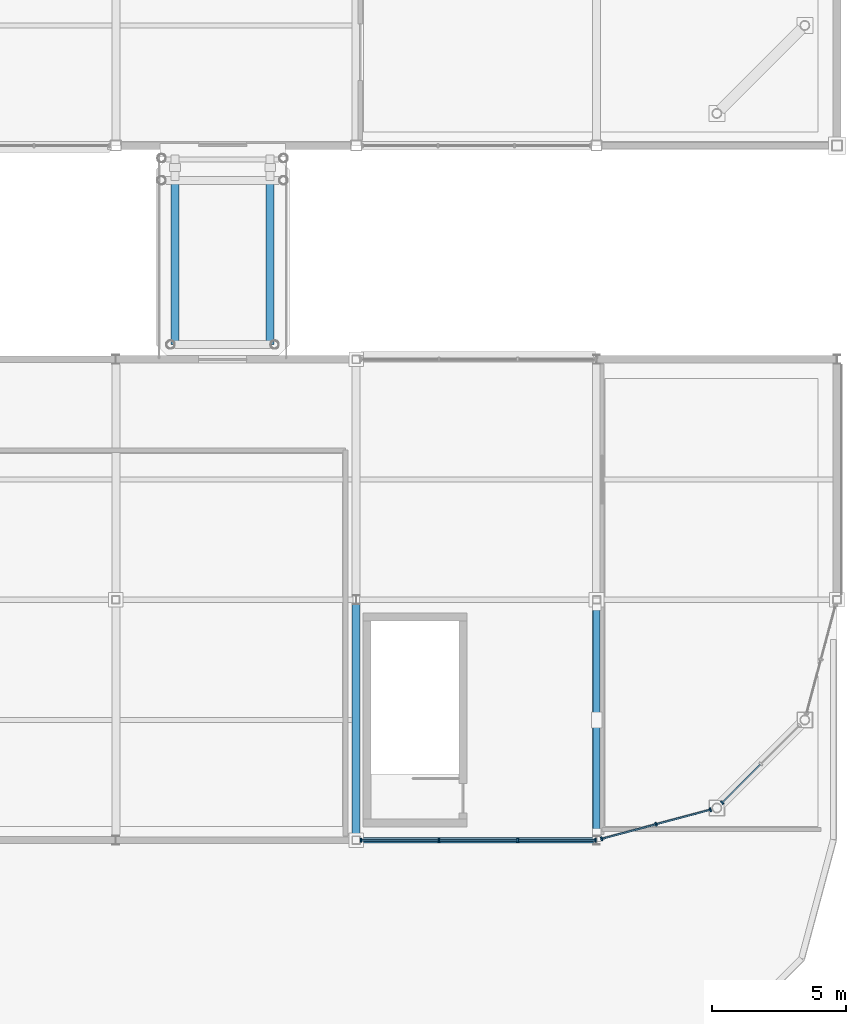
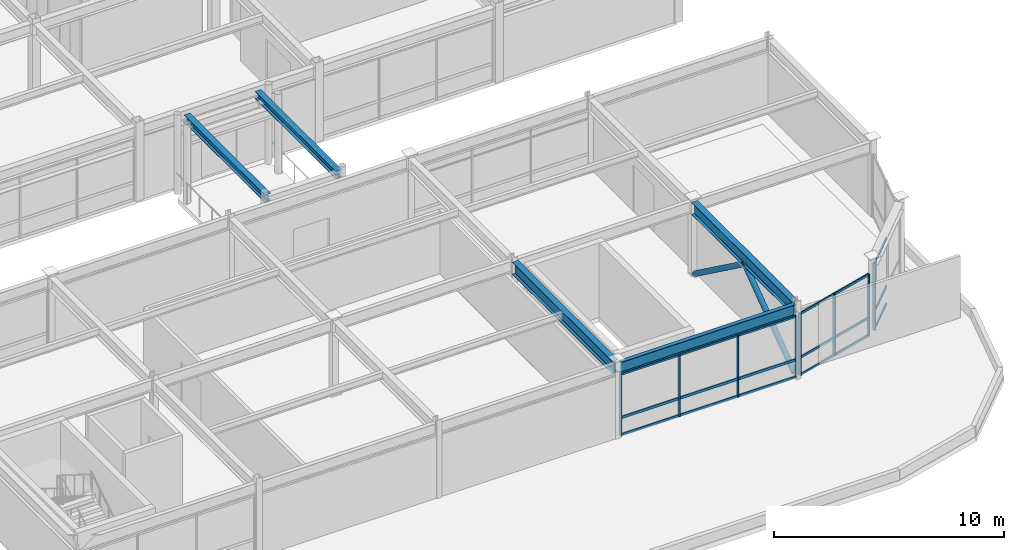
# One storey, part 34 of 70: 28 members, 5 beams, 3 elements without a shape of their own.
"""IFC4 building model written with IfcOpenShell, lengths in metres."""

from ifc_helpers import new_model, si_unit, direction, frame, origin, origin_2d, place, context, subcontext, project, spatial, rectangle, hollow_circle, i_section, extrude, material, material_profile, profile_set, type_object, element, aggregate, save


model = new_model("IFC4")

# Units and contexts
model_context = context("Model", 3, precision=1e-05, world=origin(), true_north=direction((0.0, 1.0)))
body_context = subcontext(model_context, "Body", "Model", "MODEL_VIEW")
ifc_project = project(units=[si_unit("LENGTHUNIT", "METRE"), si_unit("AREAUNIT", "SQUARE_METRE"), si_unit("VOLUMEUNIT", "CUBIC_METRE"), si_unit("PLANEANGLEUNIT", "RADIAN"), si_unit("MASSUNIT", "GRAM", prefix="KILO")], contexts=[model_context])

# Site, building, storey
site_placement = place(None, origin())
site = spatial("IfcSite", under=ifc_project, at=site_placement, CompositionType="ELEMENT")
building_placement = place(site_placement, origin())
building = spatial("IfcBuilding", under=site, at=building_placement, Name="Suzunagisa Mobility Hub", CompositionType="ELEMENT")
storey_placement = place(building_placement, frame((0.0, 0.0, 13.5)))
storey = spatial("IfcBuildingStorey", under=building, at=storey_placement, Name="L03", CompositionType="ELEMENT", Elevation=13.5)

# Curtain wall, members
ifc_material_1 = material(Name="Thermally Broken Anodized Aluminum and Low-E Glazing", Category="aluminium")
curtain_wall_type_1 = type_object("IfcCurtainWallType", Name="Unitised Curtain Wall CW-12 8750x3300", PredefinedType="USERDEFINED", material=ifc_material_1)
curtain_wall_1_placement = place(storey_placement, origin())
curtain_wall_1 = element("IfcCurtainWall", 1, at=curtain_wall_1_placement, inside=storey, type_object=curtain_wall_type_1, Name="L03 Unitised Curtain Wall CW-164", ObjectType="UNITISED CURTAIN WALL", PredefinedType="USERDEFINED")
ifc_material_2 = material(Name="Anodized Aluminum 6063-T6", Category="aluminium")
ifc_material_profile_1 = material_profile(ifc_material_2, rectangle(XDim=0.06494140625, YDim=0.139892578125, at=origin_2d()), Name="TRAN-65x140")
ifc_profile_set_1 = profile_set([ifc_material_profile_1], Name="Anodized Aluminum 6063-T6")
member_type_1 = type_object("IfcMemberType", Name="Curtain Wall Framing CM-01 TRAN-65x140", PredefinedType="USERDEFINED", material=ifc_profile_set_1)
member_1_placement = place(storey_placement, frame((162.2080078125, 18.0, 0.032470703125), z_axis=(1.0, 0.0, 0.0), x_axis=(0.0, 1.0, 0.0)))
member_1 = element("IfcMember", 2, at=member_1_placement, type_object=member_type_1, Name="Curtain Wall Transom 164-T1.1", ObjectType="TRANSOM", PredefinedType="USERDEFINED", context=body_context, shape_type="SweptSolid", body=[
    extrude(rectangle(XDim=0.06494140625, YDim=0.139892578125, at=origin_2d()), origin(), (0.0, 0.0, 1.0), 2.862548828125),
])
member_2_placement = place(storey_placement, frame((162.2080078125, 18.0, 0.949951171875), z_axis=(1.0, 0.0, 0.0), x_axis=(0.0, 1.0, 0.0)))
member_2 = element("IfcMember", 3, at=member_2_placement, type_object=member_type_1, Name="Curtain Wall Transom 164-T1.2", ObjectType="TRANSOM", PredefinedType="USERDEFINED", context=body_context, shape_type="SweptSolid", body=[
    extrude(rectangle(XDim=0.06494140625, YDim=0.139892578125, at=origin_2d()), origin(), (0.0, 0.0, 1.0), 2.862548828125),
])
member_3_placement = place(storey_placement, frame((162.2080078125, 18.0, 3.257568359375), z_axis=(1.0, 0.0, 0.0), x_axis=(0.0, 1.0, 0.0)))
member_3 = element("IfcMember", 4, at=member_3_placement, type_object=member_type_1, Name="Curtain Wall Transom 164-T1.3", ObjectType="TRANSOM", PredefinedType="USERDEFINED", context=body_context, shape_type="SweptSolid", body=[
    extrude(rectangle(XDim=0.06494140625, YDim=0.139892578125, at=origin_2d()), origin(), (0.0, 0.0, 1.0), 2.862548828125),
])
member_4_placement = place(storey_placement, frame((165.12646484375, 18.0, 0.032470703125), z_axis=(1.0, 0.0, 0.0), x_axis=(0.0, 1.0, 0.0)))
member_4 = element("IfcMember", 5, at=member_4_placement, type_object=member_type_1, Name="Curtain Wall Transom 164-T2.1", ObjectType="TRANSOM", PredefinedType="USERDEFINED", context=body_context, shape_type="SweptSolid", body=[
    extrude(rectangle(XDim=0.06494140625, YDim=0.139892578125, at=origin_2d()), origin(), (0.0, 0.0, 1.0), 2.892578125),
])
member_5_placement = place(storey_placement, frame((165.12646484375, 18.0, 0.949951171875), z_axis=(1.0, 0.0, 0.0), x_axis=(0.0, 1.0, 0.0)))
member_5 = element("IfcMember", 6, at=member_5_placement, type_object=member_type_1, Name="Curtain Wall Transom 164-T2.2", ObjectType="TRANSOM", PredefinedType="USERDEFINED", context=body_context, shape_type="SweptSolid", body=[
    extrude(rectangle(XDim=0.06494140625, YDim=0.139892578125, at=origin_2d()), origin(), (0.0, 0.0, 1.0), 2.892578125),
])
member_6_placement = place(storey_placement, frame((165.12646484375, 18.0, 3.257568359375), z_axis=(1.0, 0.0, 0.0), x_axis=(0.0, 1.0, 0.0)))
member_6 = element("IfcMember", 7, at=member_6_placement, type_object=member_type_1, Name="Curtain Wall Transom 164-T2.3", ObjectType="TRANSOM", PredefinedType="USERDEFINED", context=body_context, shape_type="SweptSolid", body=[
    extrude(rectangle(XDim=0.06494140625, YDim=0.139892578125, at=origin_2d()), origin(), (0.0, 0.0, 1.0), 2.892578125),
])
member_7_placement = place(storey_placement, frame((168.074951171875, 18.0, 0.032470703125), z_axis=(1.0, 0.0, 0.0), x_axis=(0.0, 1.0, 0.0)))
member_7 = element("IfcMember", 8, at=member_7_placement, type_object=member_type_1, Name="Curtain Wall Transom 164-T3.1", ObjectType="TRANSOM", PredefinedType="USERDEFINED", context=body_context, shape_type="SweptSolid", body=[
    extrude(rectangle(XDim=0.06494140625, YDim=0.139892578125, at=origin_2d()), origin(), (0.0, 0.0, 1.0), 2.862548828125),
])
member_8_placement = place(storey_placement, frame((168.074951171875, 18.0, 0.949951171875), z_axis=(1.0, 0.0, 0.0), x_axis=(0.0, 1.0, 0.0)))
member_8 = element("IfcMember", 9, at=member_8_placement, type_object=member_type_1, Name="Curtain Wall Transom 164-T3.2", ObjectType="TRANSOM", PredefinedType="USERDEFINED", context=body_context, shape_type="SweptSolid", body=[
    extrude(rectangle(XDim=0.06494140625, YDim=0.139892578125, at=origin_2d()), origin(), (0.0, 0.0, 1.0), 2.862548828125),
])
member_9_placement = place(storey_placement, frame((168.074951171875, 18.0, 3.257568359375), z_axis=(1.0, 0.0, 0.0), x_axis=(0.0, 1.0, 0.0)))
member_9 = element("IfcMember", 10, at=member_9_placement, type_object=member_type_1, Name="Curtain Wall Transom 164-T3.3", ObjectType="TRANSOM", PredefinedType="USERDEFINED", context=body_context, shape_type="SweptSolid", body=[
    extrude(rectangle(XDim=0.06494140625, YDim=0.139892578125, at=origin_2d()), origin(), (0.0, 0.0, 1.0), 2.862548828125),
])

curtain_wall_type_2 = type_object("IfcCurtainWallType", Name="Unitised Curtain Wall CW-06 4250x3300", PredefinedType="USERDEFINED", material=ifc_material_1)
curtain_wall_2_placement = place(storey_placement, origin())
curtain_wall_2 = element("IfcCurtainWall", 11, at=curtain_wall_2_placement, inside=storey, type_object=curtain_wall_type_2, Name="L03 Unitised Curtain Wall CW-165", ObjectType="UNITISED CURTAIN WALL", PredefinedType="USERDEFINED")
ifc_material_profile_2 = material_profile(ifc_material_2, rectangle(XDim=0.06005859375, YDim=0.1201171875, at=origin_2d()), Name="TRAN-60x120")
ifc_profile_set_2 = profile_set([ifc_material_profile_2], Name="Anodized Aluminum 6063-T6")
member_type_2 = type_object("IfcMemberType", Name="Curtain Wall Framing CM-02 TRAN-60x120", PredefinedType="USERDEFINED", material=ifc_profile_set_2)
member_10_placement = place(storey_placement, frame((171.215087890625, 18.0576171875, 0.030029296875), z_axis=(0.96591831511, 0.258847075576, 0.0), x_axis=(-0.258847075576, 0.96591831511, 0.0)))
member_10 = element("IfcMember", 12, at=member_10_placement, type_object=member_type_2, Name="Curtain Wall Transom 165-T1.1", ObjectType="TRANSOM", PredefinedType="USERDEFINED", context=body_context, shape_type="SweptSolid", body=[
    extrude(rectangle(XDim=0.06005859375, YDim=0.1201171875, at=origin_2d()), origin(), (0.0, 0.0, 1.0), 2.052490234375),
])
member_11_placement = place(storey_placement, frame((171.215087890625, 18.0576171875, 0.949951171875), z_axis=(0.96591831511, 0.258847075576, 0.0), x_axis=(-0.258847075576, 0.96591831511, 0.0)))
member_11 = element("IfcMember", 13, at=member_11_placement, type_object=member_type_2, Name="Curtain Wall Transom 165-T1.2", ObjectType="TRANSOM", PredefinedType="USERDEFINED", context=body_context, shape_type="SweptSolid", body=[
    extrude(rectangle(XDim=0.06005859375, YDim=0.1201171875, at=origin_2d()), origin(), (0.0, 0.0, 1.0), 2.052490234375),
])
member_12_placement = place(storey_placement, frame((171.215087890625, 18.0576171875, 3.260009765625), z_axis=(0.96591831511, 0.258847075576, 0.0), x_axis=(-0.258847075576, 0.96591831511, 0.0)))
member_12 = element("IfcMember", 14, at=member_12_placement, type_object=member_type_2, Name="Curtain Wall Transom 165-T1.3", ObjectType="TRANSOM", PredefinedType="USERDEFINED", context=body_context, shape_type="SweptSolid", body=[
    extrude(rectangle(XDim=0.06005859375, YDim=0.1201171875, at=origin_2d()), origin(), (0.0, 0.0, 1.0), 2.052490234375),
])
member_13_placement = place(storey_placement, frame((173.25146484375, 18.603271484375, 0.030029296875), z_axis=(0.965910343506, 0.258876820725, 0.0), x_axis=(-0.258876820725, 0.965910343506, 0.0)))
member_13 = element("IfcMember", 15, at=member_13_placement, type_object=member_type_2, Name="Curtain Wall Transom 165-T2.1", ObjectType="TRANSOM", PredefinedType="USERDEFINED", context=body_context, shape_type="SweptSolid", body=[
    extrude(rectangle(XDim=0.06005859375, YDim=0.1201171875, at=origin_2d()), origin(), (0.0, 0.0, 1.0), 2.05224609375),
])
member_14_placement = place(storey_placement, frame((173.25146484375, 18.603271484375, 0.949951171875), z_axis=(0.965910343506, 0.258876820725, 0.0), x_axis=(-0.258876820725, 0.965910343506, 0.0)))
member_14 = element("IfcMember", 16, at=member_14_placement, type_object=member_type_2, Name="Curtain Wall Transom 165-T2.2", ObjectType="TRANSOM", PredefinedType="USERDEFINED", context=body_context, shape_type="SweptSolid", body=[
    extrude(rectangle(XDim=0.06005859375, YDim=0.1201171875, at=origin_2d()), origin(), (0.0, 0.0, 1.0), 2.05224609375),
])
member_15_placement = place(storey_placement, frame((173.25146484375, 18.603271484375, 3.260009765625), z_axis=(0.965910343506, 0.258876820725, 0.0), x_axis=(-0.258876820725, 0.965910343506, 0.0)))
member_15 = element("IfcMember", 17, at=member_15_placement, type_object=member_type_2, Name="Curtain Wall Transom 165-T2.3", ObjectType="TRANSOM", PredefinedType="USERDEFINED", context=body_context, shape_type="SweptSolid", body=[
    extrude(rectangle(XDim=0.06005859375, YDim=0.1201171875, at=origin_2d()), origin(), (0.0, 0.0, 1.0), 2.05224609375),
])

curtain_wall_type_3 = type_object("IfcCurtainWallType", Name="Unitised Curtain Wall CW-24 4250x3500", PredefinedType="USERDEFINED", material=ifc_material_1)
curtain_wall_3_placement = place(storey_placement, origin())
curtain_wall_3 = element("IfcCurtainWall", 18, at=curtain_wall_3_placement, inside=storey, type_object=curtain_wall_type_3, Name="L03 Unitised Curtain Wall CW-166", ObjectType="UNITISED CURTAIN WALL", PredefinedType="USERDEFINED")
member_16_placement = place(storey_placement, frame((175.71875, 19.424560546875, 0.030029296875), z_axis=(0.707106781187, 0.707106781187, 0.0), x_axis=(-0.707106781187, 0.707106781187, 0.0)))
member_16 = element("IfcMember", 19, at=member_16_placement, type_object=member_type_2, Name="Curtain Wall Transom 166-T1.1", ObjectType="TRANSOM", PredefinedType="USERDEFINED", context=body_context, shape_type="SweptSolid", body=[
    extrude(rectangle(XDim=0.06005859375, YDim=0.1201171875, at=origin_2d()), origin(), (0.0, 0.0, 1.0), 1.991943359375),
])
member_17_placement = place(storey_placement, frame((175.71875, 19.424560546875, 0.949951171875), z_axis=(0.707106781187, 0.707106781187, 0.0), x_axis=(-0.707106781187, 0.707106781187, 0.0)))
member_17 = element("IfcMember", 20, at=member_17_placement, type_object=member_type_2, Name="Curtain Wall Transom 166-T1.2", ObjectType="TRANSOM", PredefinedType="USERDEFINED", context=body_context, shape_type="SweptSolid", body=[
    extrude(rectangle(XDim=0.06005859375, YDim=0.1201171875, at=origin_2d()), origin(), (0.0, 0.0, 1.0), 1.991943359375),
])
member_18_placement = place(storey_placement, frame((175.71875, 19.424560546875, 3.510009765625), z_axis=(0.707106781187, 0.707106781187, 0.0), x_axis=(-0.707106781187, 0.707106781187, 0.0)))
member_18 = element("IfcMember", 21, at=member_18_placement, type_object=member_type_2, Name="Curtain Wall Transom 166-T1.3", ObjectType="TRANSOM", PredefinedType="USERDEFINED", context=body_context, shape_type="SweptSolid", body=[
    extrude(rectangle(XDim=0.06005859375, YDim=0.1201171875, at=origin_2d()), origin(), (0.0, 0.0, 1.0), 1.991943359375),
])

# Member
ifc_material_profile_3 = material_profile(ifc_material_2, rectangle(XDim=0.06005859375, YDim=0.14990234375, at=origin_2d()), Name="MULL-60x150")
ifc_profile_set_3 = profile_set([ifc_material_profile_3], Name="Anodized Aluminum 6063-T6")
member_type_3 = type_object("IfcMemberType", Name="Curtain Wall Framing CM-03 MULL-60x150", PredefinedType="MULLION", material=ifc_profile_set_3)
member_19_placement = place(storey_placement, frame((162.179931640625, 18.0, 0.0), z_axis=(0.0, 0.0, 1.0), x_axis=(1.0, 0.0, 0.0)))
member_19 = element("IfcMember", 22, at=member_19_placement, type_object=member_type_3, Name="Curtain Wall Mullion 164-M1", PredefinedType="MULLION", context=body_context, shape_type="SweptSolid", body=[
    extrude(rectangle(XDim=0.06005859375, YDim=0.14990234375, at=origin_2d()), origin(), (0.0, 0.0, 1.0), 3.2900390625),
])

member_20_placement = place(storey_placement, frame((165.098388671875, 18.0, 0.0), z_axis=(0.0, 0.0, 1.0), x_axis=(1.0, 0.0, 0.0)))
member_20 = element("IfcMember", 23, at=member_20_placement, type_object=member_type_3, Name="Curtain Wall Mullion 164-M2", PredefinedType="MULLION", context=body_context, shape_type="SweptSolid", body=[
    extrude(rectangle(XDim=0.06005859375, YDim=0.14990234375, at=origin_2d()), origin(), (0.0, 0.0, 1.0), 3.2900390625),
])

member_21_placement = place(storey_placement, frame((168.047119140625, 18.0, 0.0), z_axis=(0.0, 0.0, 1.0), x_axis=(1.0, 0.0, 0.0)))
member_21 = element("IfcMember", 24, at=member_21_placement, type_object=member_type_3, Name="Curtain Wall Mullion 164-M3", PredefinedType="MULLION", context=body_context, shape_type="SweptSolid", body=[
    extrude(rectangle(XDim=0.06005859375, YDim=0.14990234375, at=origin_2d()), origin(), (0.0, 0.0, 1.0), 3.2900390625),
])

member_22_placement = place(storey_placement, frame((170.965576171875, 18.0, 0.0), z_axis=(0.0, 0.0, 1.0), x_axis=(1.0, 0.0, 0.0)))
member_22 = element("IfcMember", 25, at=member_22_placement, type_object=member_type_3, Name="Curtain Wall Mullion 164-M4", PredefinedType="MULLION", context=body_context, shape_type="SweptSolid", body=[
    extrude(rectangle(XDim=0.06005859375, YDim=0.14990234375, at=origin_2d()), origin(), (0.0, 0.0, 1.0), 3.2900390625),
])

aggregate(curtain_wall_1, [member_19, member_20, member_21, member_22, member_1, member_2, member_3, member_4, member_5, member_6, member_7, member_8, member_9])

member_23_placement = place(storey_placement, frame((171.18798828125, 18.05029296875, 0.0), z_axis=(0.0, 0.0, 1.0), x_axis=(0.965925296288, 0.258821023086, 0.0)))
member_23 = element("IfcMember", 26, at=member_23_placement, type_object=member_type_3, Name="Curtain Wall Mullion 165-M1", PredefinedType="MULLION", context=body_context, shape_type="SweptSolid", body=[
    extrude(rectangle(XDim=0.06005859375, YDim=0.14990234375, at=origin_2d()), origin(), (0.0, 0.0, 1.0), 3.2900390625),
])

member_24_placement = place(storey_placement, frame((173.224365234375, 18.595947265625, 0.0), z_axis=(0.0, 0.0, 1.0), x_axis=(0.965925296288, 0.258821023086, 0.0)))
member_24 = element("IfcMember", 27, at=member_24_placement, type_object=member_type_3, Name="Curtain Wall Mullion 165-M2", PredefinedType="MULLION", context=body_context, shape_type="SweptSolid", body=[
    extrude(rectangle(XDim=0.06005859375, YDim=0.14990234375, at=origin_2d()), origin(), (0.0, 0.0, 1.0), 3.2900390625),
])

member_25_placement = place(storey_placement, frame((175.2607421875, 19.1416015625, 0.0), z_axis=(0.0, 0.0, 1.0), x_axis=(0.965925296288, 0.258821023086, 0.0)))
member_25 = element("IfcMember", 28, at=member_25_placement, type_object=member_type_3, Name="Curtain Wall Mullion 165-M3", PredefinedType="MULLION", context=body_context, shape_type="SweptSolid", body=[
    extrude(rectangle(XDim=0.06005859375, YDim=0.14990234375, at=origin_2d()), origin(), (0.0, 0.0, 1.0), 3.2900390625),
])

aggregate(curtain_wall_2, [member_23, member_24, member_25, member_10, member_11, member_12, member_13, member_14, member_15])

member_26_placement = place(storey_placement, frame((175.698974609375, 19.40478515625, 0.0), z_axis=(0.0, 0.0, 1.0), x_axis=(0.707106781187, 0.707106781187, 0.0)))
member_26 = element("IfcMember", 29, at=member_26_placement, type_object=member_type_3, Name="Curtain Wall Mullion 166-M1", PredefinedType="MULLION", context=body_context, shape_type="SweptSolid", body=[
    extrude(rectangle(XDim=0.06005859375, YDim=0.14990234375, at=origin_2d()), origin(), (0.0, 0.0, 1.0), 3.5400390625),
])

aggregate(curtain_wall_3, [member_26, member_16, member_17, member_18])

# Members
ifc_material_3 = material(Name="Steel SN490B", Category="steel")
ifc_material_profile_4 = material_profile(ifc_material_3, hollow_circle(Radius=0.1337890625, WallThickness=0.00927734375, at=origin_2d()), Name="CHS-267.4x9.3")
ifc_profile_set_4 = profile_set([ifc_material_profile_4], Name="Steel SN490B")
member_type_4 = type_object("IfcMemberType", Name="Roof Truss and Brace Member MB-06 CHS-267.4x9.3", PredefinedType="BRACE", material=ifc_profile_set_4)
member_27_placement = place(storey_placement, frame((171.0, 18.18994140625, 0.1201171875), z_axis=(0.0, 0.806846481642, 0.590761165838), x_axis=(-1.0, 0.0, 0.0)))
element("IfcMember", 30, at=member_27_placement, inside=storey, type_object=member_type_4, Name="L03 Concentric Lateral Brace BR-59", PredefinedType="BRACE", context=body_context, shape_type="SweptSolid", body=[
    extrude(hollow_circle(Radius=0.1337890625, WallThickness=0.00927734375, at=origin_2d()), origin(), (0.0, 0.0, 1.0), 5.341796875),
])
member_28_placement = place(storey_placement, frame((171.0, 26.830078125, 0.1201171875), z_axis=(0.0, -0.808148502975, 0.588978774778), x_axis=(1.0, 0.0, 0.0)))
element("IfcMember", 31, at=member_28_placement, inside=storey, type_object=member_type_4, Name="L03 Concentric Lateral Brace BR-60", PredefinedType="BRACE", context=body_context, shape_type="SweptSolid", body=[
    extrude(hollow_circle(Radius=0.1337890625, WallThickness=0.00927734375, at=origin_2d()), origin(), (0.0, 0.0, 1.0), 5.35791015625),
])

# Beams
ifc_material_profile_5 = material_profile(ifc_material_3, i_section(OverallWidth=0.199951171875, OverallDepth=0.60009765625, WebThickness=0.010986328125, FlangeThickness=0.01708984375, FilletRadius=0.012939453125, at=origin_2d()), Name="H-600x200x11x17")
ifc_profile_set_5 = profile_set([ifc_material_profile_5], Name="Steel SN490B")
beam_type_1 = type_object("IfcBeamType", Name="Steel Beam BM-07 H-600x200x11x17", PredefinedType="BEAM", material=ifc_profile_set_5)
beam_placement = place(storey_placement, frame((162.14599609375, 18.0, 3.639892578125), z_axis=(1.0, 0.0, 0.0), x_axis=(0.0, 1.0, 0.0)))
element("IfcBeam", 32, at=beam_placement, inside=storey, type_object=beam_type_1, Name="L03 Primary Girder GX-1587", PredefinedType="BEAM", context=body_context, shape_type="SweptSolid", body=[
    extrude(i_section(OverallWidth=0.199951171875, OverallDepth=0.60009765625, WebThickness=0.010986328125, FlangeThickness=0.01708984375, FilletRadius=0.012939453125, at=origin_2d()), origin(), (0.0, 0.0, 1.0), 8.73291015625),
])
ifc_material_profile_6 = material_profile(ifc_material_3, i_section(OverallWidth=0.300048828125, OverallDepth=0.64990234375, WebThickness=0.012939453125, FlangeThickness=0.02197265625, FilletRadius=0.01611328125, at=origin_2d()), Name="H-650x300x13x22")
ifc_profile_set_6 = profile_set([ifc_material_profile_6], Name="Steel SN490B")
beam_type_2 = type_object("IfcBeamType", Name="Steel Beam BM-10 H-650x300x13x22", PredefinedType="BEAM", material=ifc_profile_set_6)
for number, where, z_axis, x_axis, name in (
    (33, (162.0, 18.14599609375, 3.614990234375), (0.0, 1.0, 0.0), (-1.0, 0.0, 0.0), "L03 Primary Girder GY-1604"),
    (34, (171.0, 18.166015625, 3.614990234375), (0.0, 1.0, 0.0), (-1.0, 0.0, 0.0), "L03 Primary Girder GY-1606"),
):
    element("IfcBeam", number, at=place(storey_placement, frame(where, z_axis=z_axis, x_axis=x_axis)), inside=storey, type_object=beam_type_2, Name=name, PredefinedType="BEAM", context=body_context, shape_type="SweptSolid", body=[
        extrude(i_section(OverallWidth=0.300048828125, OverallDepth=0.64990234375, WebThickness=0.012939453125, FlangeThickness=0.02197265625, FilletRadius=0.01611328125, at=origin_2d()), origin(), (0.0, 0.0, 1.0), 8.68798828125),
    ])
ifc_material_profile_7 = material_profile(ifc_material_3, i_section(OverallWidth=0.300048828125, OverallDepth=0.389892578125, WebThickness=0.010009765625, FlangeThickness=0.01611328125, FilletRadius=0.012939453125, at=origin_2d()), Name="H-390x300x10x16")
ifc_profile_set_7 = profile_set([ifc_material_profile_7], Name="Steel SN490B")
beam_type_3 = type_object("IfcBeamType", Name="Steel Beam BM-17 H-390x300x10x16", PredefinedType="T_BEAM", material=ifc_profile_set_7)
for number, where, z_axis, x_axis, name in (
    (35, (155.219970703125, 36.550048828125, 3.764892578125), (0.0, 1.0, 0.0), (-1.0, 0.0, 0.0), "L04 Bridge Girder SB-06-A"),
    (36, (158.780029296875, 36.550048828125, 3.764892578125), (0.0, 1.0, 0.0), (-1.0, 0.0, 0.0), "L04 Bridge Girder SB-06-B"),
):
    element("IfcBeam", number, at=place(storey_placement, frame(where, z_axis=z_axis, x_axis=x_axis)), inside=storey, type_object=beam_type_3, Name=name, PredefinedType="T_BEAM", context=body_context, shape_type="SweptSolid", body=[
        extrude(i_section(OverallWidth=0.300048828125, OverallDepth=0.389892578125, WebThickness=0.010009765625, FlangeThickness=0.01611328125, FilletRadius=0.012939453125, at=origin_2d()), origin(), (0.0, 0.0, 1.0), 7.02001953125),
    ])

save(model, "model.ifc")
